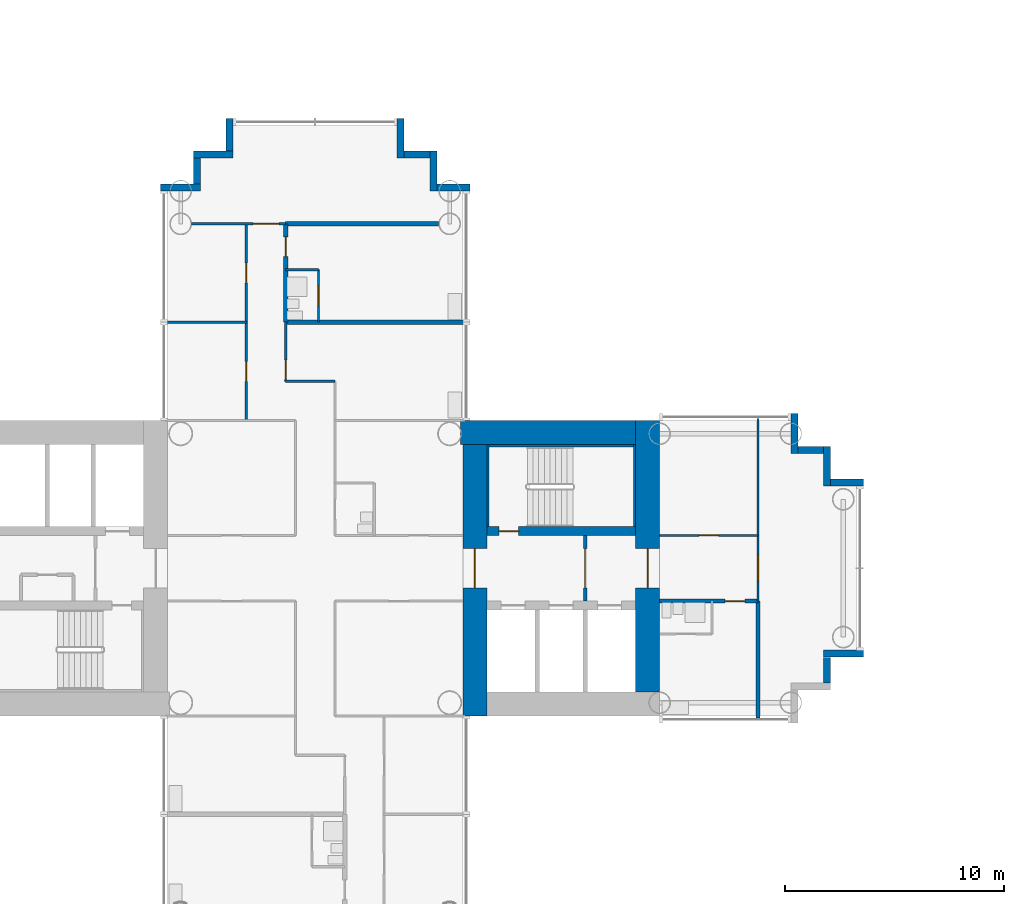
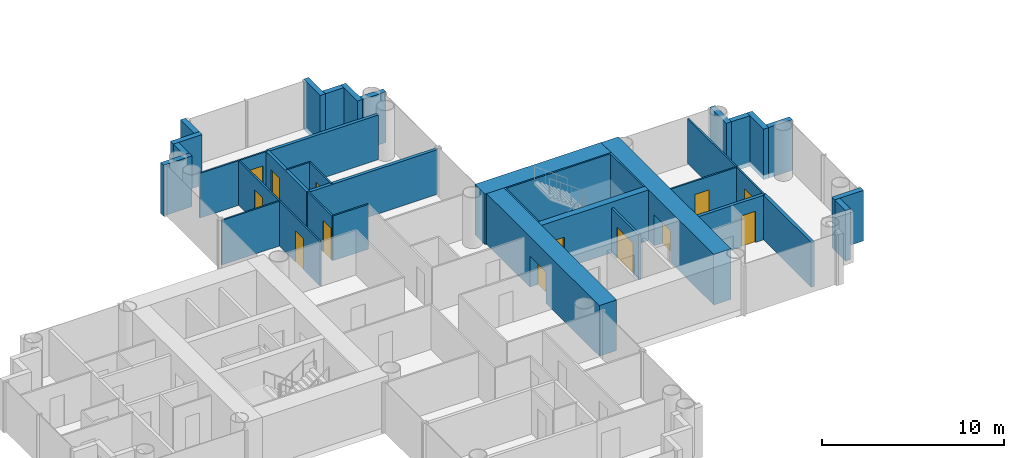
# One storey, part 11 of 21: 36 walls, 13 doors, 13 openings.
"""IFC4 building model written with IfcOpenShell, lengths in metres."""

import ifcopenshell
import ifcopenshell.guid

model = None  # the IFC model being written
_history = None  # IfcOwnerHistory: only IFC2X3 demands one
_inside = {}  # id of a spatial element -> (the spatial element, [elements in it])
_under = {}  # id of a project, library or spatial element -> (it, [spatial elements below it])
_declared = {}  # id of a project -> (the project, [libraries it declares])
_typed = {}  # id of a type object -> (the type object, [elements of that type])
_made_of = {}  # id of a material, layer set ... -> (it, [elements and type objects made of it])


def new_model(schema):
    """Start an empty IFC model of exactly this schema.

    Asked for "IFC4X3", IfcOpenShell would pick the latest addendum, in which some entities
    have other attributes; the version numbers below select the first issue.
    IFC2X3 requires an IfcOwnerHistory on every rooted entity: one is made here for all.
    """
    global model, _history
    if schema == "IFC4X3":
        model = ifcopenshell.file(schema_version=(4, 3, 0, 0))
    else:
        model = ifcopenshell.file(schema=schema)
    _inside.clear()
    _under.clear()
    _declared.clear()
    _typed.clear()
    _made_of.clear()
    _history = None
    if model.schema == "IFC2X3":
        org = make("IfcOrganization", Name="unknown")
        user = make(
            "IfcPersonAndOrganization",
            ThePerson=make("IfcPerson", FamilyName="unknown"),
            TheOrganization=org,
        )
        app = make(
            "IfcApplication",
            ApplicationDeveloper=org,
            Version="unknown",
            ApplicationFullName="unknown",
            ApplicationIdentifier="unknown",
        )
        _history = make(
            "IfcOwnerHistory",
            OwningUser=user,
            OwningApplication=app,
            ChangeAction="ADDED",
            CreationDate=0,
        )
    return model


def make(cls, **values):
    """One entity of the class cls with the attributes given. An attribute that is None is left unset."""
    return model.create_entity(
        cls, **{name: value for name, value in values.items() if value is not None}
    )


def rooted(cls, **values):
    """An entity with a GlobalId (a new one), such as an element, a storey or a relation."""
    return make(cls, GlobalId=ifcopenshell.guid.new(), OwnerHistory=_history, **values)


def si_unit(unit_type, name, prefix=None):
    """IfcSIUnit, for example si_unit("LENGTHUNIT", "METRE", prefix="MILLI")."""
    return make("IfcSIUnit", UnitType=unit_type, Prefix=prefix, Name=name)


def assignment(units):
    """IfcUnitAssignment: the units of a project."""
    return None if units is None else make("IfcUnitAssignment", Units=units)


def point(xyz):
    """IfcCartesianPoint."""
    return None if xyz is None else make("IfcCartesianPoint", Coordinates=xyz)


def direction(xyz):
    """IfcDirection."""
    return None if xyz is None else make("IfcDirection", DirectionRatios=xyz)


def frame(location, z_axis=None, x_axis=None):
    """IfcAxis2Placement3D, a coordinate frame: its origin and axes. An axis left out is left unset."""
    return make(
        "IfcAxis2Placement3D",
        Location=point(location),
        Axis=direction(z_axis),
        RefDirection=direction(x_axis),
    )


def frame_2d(location, x_axis=None):
    """IfcAxis2Placement2D, a coordinate frame in the plane: its origin and x axis."""
    return make(
        "IfcAxis2Placement2D", Location=point(location), RefDirection=direction(x_axis)
    )


def origin():
    """The frame at (0, 0, 0) with its axes left unset."""
    return frame((0.0, 0.0, 0.0))


def place(relative_to, where):
    """IfcLocalPlacement: puts the frame where relative to a parent placement (None: the world)."""
    return make(
        "IfcLocalPlacement", PlacementRelTo=relative_to, RelativePlacement=where
    )


def context(
    kind, dimensions, precision=None, world=None, true_north=None, identifier=None
):
    """IfcGeometricRepresentationContext, for example the 3D "Model" context."""
    return make(
        "IfcGeometricRepresentationContext",
        ContextIdentifier=identifier,
        ContextType=kind,
        CoordinateSpaceDimension=dimensions,
        Precision=precision,
        WorldCoordinateSystem=world,
        TrueNorth=true_north,
    )


def subcontext(parent, identifier, kind, view, scale=None):
    """IfcGeometricRepresentationSubContext, for example "Body" below "Model"."""
    return make(
        "IfcGeometricRepresentationSubContext",
        ContextIdentifier=identifier,
        ContextType=kind,
        ParentContext=parent,
        TargetScale=scale,
        TargetView=view,
    )


def project(units=None, contexts=None):
    """IfcProject with its units and contexts."""
    return rooted(
        "IfcProject",
        Name="project",
        RepresentationContexts=contexts,
        UnitsInContext=assignment(units),
    )


def spatial(cls, under=None, at=None, **own):
    """A site, building, storey or space (cls), placed at a placement, below another one or the project."""
    s = rooted(cls, ObjectPlacement=at, **own)
    if under is not None:
        _under.setdefault(under.id(), (under, []))[1].append(s)
    return s


def profile(cls, at=None, kind="AREA", **sizes):
    """A parametric profile (cls). Its sizes go by their IFC names, for example OverallWidth=200.0."""
    return make(cls, ProfileType=kind, Position=at, **sizes)


def rectangle(**sizes):
    """IfcRectangleProfileDef."""
    return profile("IfcRectangleProfileDef", **sizes)


def extrude(swept, where, along, depth):
    """IfcExtrudedAreaSolid: the profile swept, set in the frame where, extruded along a direction by depth."""
    return make(
        "IfcExtrudedAreaSolid",
        SweptArea=swept,
        Position=where,
        ExtrudedDirection=direction(along),
        Depth=depth,
    )


def shape(context_of_items, identifier, shape_type, items):
    """IfcShapeRepresentation: the items that make up one representation, for example the "Body"."""
    return make(
        "IfcShapeRepresentation",
        ContextOfItems=context_of_items,
        RepresentationIdentifier=identifier,
        RepresentationType=shape_type,
        Items=items,
    )


def material(Name=None, Category=None):
    """IfcMaterial."""
    return make("IfcMaterial", Name=Name, Category=Category)


def layer(
    of_material, thickness, ventilated=None, Name=None, Category=None, Priority=None
):
    """IfcMaterialLayer: one layer of a wall or slab, of a material (None: an air gap)."""
    return make(
        "IfcMaterialLayer",
        Material=of_material,
        LayerThickness=thickness,
        IsVentilated=ventilated,
        Name=Name,
        Category=Category,
        Priority=Priority,
    )


def layer_set(layers, Name=None):
    """IfcMaterialLayerSet."""
    return make("IfcMaterialLayerSet", MaterialLayers=layers, LayerSetName=Name)


def made_of(thing, what):
    """Note that an element or type object is made of a material, layer set ...; save() writes the relation."""
    if what is not None:
        _made_of.setdefault(what.id(), (what, []))[1].append(thing)
    return thing


def type_object(cls, material=None, **own):
    """A type object (cls), such as IfcWallType, which elements share."""
    return made_of(rooted(cls, **own), material)


def element(
    cls,
    number,
    at=None,
    inside=None,
    cuts=None,
    type_object=None,
    material=None,
    context=None,
    identifier="Body",
    shape_type=None,
    held_by="IfcProductDefinitionShape",
    body=None,
    shapes=None,
    **own,
):
    """One element of the class cls, such as IfcWall. Its Tag is "e" and its number.

    at: its placement. inside: the storey or other place that contains it. cuts: it is an
    opening in that element (IfcRelVoidsElement). A single representation is given by context,
    identifier, shape_type and body (its items); several are given by shapes. held_by: the class
    of the entity that holds the representations. save() writes the other relations.
    """
    e = rooted(cls, Tag="e%d" % number, ObjectPlacement=at, **own)
    if body is not None:
        shapes = [shape(context, identifier, shape_type, body)]
    if shapes is not None:
        e.Representation = make(held_by, Representations=shapes)
    if inside is not None:
        _inside.setdefault(inside.id(), (inside, []))[1].append(e)
    if cuts is not None:
        rooted(
            "IfcRelVoidsElement", RelatingBuildingElement=cuts, RelatedOpeningElement=e
        )
    if type_object is not None:
        _typed.setdefault(type_object.id(), (type_object, []))[1].append(e)
    return made_of(e, material)


def fill(opening, filler):
    """IfcRelFillsElement: the door or window that sits in an opening."""
    return rooted(
        "IfcRelFillsElement",
        RelatingOpeningElement=opening,
        RelatedBuildingElement=filler,
    )


def aggregate(whole, parts):
    """IfcRelAggregates: a whole, such as a stair, and the parts it consists of."""
    return rooted("IfcRelAggregates", RelatingObject=whole, RelatedObjects=parts)


def save(model, path):
    """Write the relations noted so far, then the file.

    IfcRelAggregates (storeys below a building ...), IfcRelContainedInSpatialStructure (elements
    in a storey), IfcRelDefinesByType, IfcRelAssociatesMaterial and IfcRelDeclares: one each for
    every whole, place, type object, material and project.
    """
    for whole, parts in _under.values():
        aggregate(whole, parts)
    for where, things in _inside.values():
        rooted(
            "IfcRelContainedInSpatialStructure",
            RelatedElements=things,
            RelatingStructure=where,
        )
    for kind, things in _typed.values():
        rooted("IfcRelDefinesByType", RelatedObjects=things, RelatingType=kind)
    for what, things in _made_of.values():
        rooted("IfcRelAssociatesMaterial", RelatedObjects=things, RelatingMaterial=what)
    for by, libraries in _declared.values():
        rooted("IfcRelDeclares", RelatingContext=by, RelatedDefinitions=libraries)
    model.write(path)


model = new_model("IFC4")

# Units and contexts
model_context = context("Model", 3, precision=1e-05, world=origin(), true_north=direction((0.0, 1.0)))
body_context = subcontext(model_context, "Body", "Model", "MODEL_VIEW")
ifc_project = project(units=[si_unit("LENGTHUNIT", "METRE"), si_unit("AREAUNIT", "SQUARE_METRE"), si_unit("VOLUMEUNIT", "CUBIC_METRE"), si_unit("PLANEANGLEUNIT", "RADIAN"), si_unit("MASSUNIT", "GRAM", prefix="KILO")], contexts=[model_context])

# Site, building, storey
site_placement = place(None, origin())
site = spatial("IfcSite", under=ifc_project, at=site_placement, CompositionType="ELEMENT")
building_placement = place(site_placement, origin())
building = spatial("IfcBuilding", under=site, at=building_placement, Name="Ipe Terrace Towers", CompositionType="ELEMENT")
storey_placement = place(building_placement, frame((0.0, 0.0, 34.699951171875)))
storey = spatial("IfcBuildingStorey", under=building, at=storey_placement, Name="L08", CompositionType="ELEMENT", Elevation=34.699951171875)

# Walls
ifc_material_1 = material(Name="Concrete C40/50 with buff precast cladding", Category="concrete")
ifc_layer_1 = layer(ifc_material_1, 0.320068359375)
ifc_layer_set_1 = layer_set([ifc_layer_1], Name="BUFF CLADDING WALL 320")
wall_type_1 = type_object("IfcWallType", Name="BUFF CLADDING WALL 320", PredefinedType="STANDARD", material=ifc_layer_set_1)
wall_1_placement = place(storey_placement, frame((-12.590087890625, -5.25, -0.300048828125), z_axis=(0.0, 0.0, 1.0), x_axis=(0.0, 1.0, 0.0)))
element("IfcWall", 1, at=wall_1_placement, inside=storey, type_object=wall_type_1, Name="T1-W-L08-23a wall", PredefinedType="STANDARD", context=body_context, shape_type="SweptSolid", body=[
    extrude(rectangle(XDim=1.179931640625, YDim=0.320068359375, at=frame_2d((0.58984375, 0.0))), origin(), (0.0, 0.0, 1.0), 3.400146484375),
])
wall_2_placement = place(storey_placement, frame((-12.75, -3.909912109375, -0.300048828125), z_axis=(0.0, 0.0, 1.0), x_axis=(1.0, 0.0, 0.0)))
element("IfcWall", 2, at=wall_2_placement, inside=storey, type_object=wall_type_1, Name="T1-W-L08-24a wall", PredefinedType="STANDARD", context=body_context, shape_type="SweptSolid", body=[
    extrude(rectangle(XDim=1.820068359375, YDim=0.320068359375, at=frame_2d((0.91015625, 0.0))), origin(), (0.0, 0.0, 1.0), 3.400146484375),
])
wall_3_placement = place(storey_placement, frame((-10.929931640625, 3.909912109375, -0.300048828125), z_axis=(0.0, 0.0, 1.0), x_axis=(-1.0, 0.0, 0.0)))
element("IfcWall", 3, at=wall_3_placement, inside=storey, type_object=wall_type_1, Name="T1-W-L08-26a wall", PredefinedType="STANDARD", context=body_context, shape_type="SweptSolid", body=[
    extrude(rectangle(XDim=1.5, YDim=0.320068359375, at=frame_2d((0.75, 0.0))), origin(), (0.0, 0.0, 1.0), 3.400146484375),
])
wall_4_placement = place(storey_placement, frame((-12.590087890625, 3.75, -0.300048828125), z_axis=(0.0, 0.0, 1.0), x_axis=(0.0, 1.0, 0.0)))
element("IfcWall", 4, at=wall_4_placement, inside=storey, type_object=wall_type_1, Name="T1-W-L08-27a wall", PredefinedType="STANDARD", context=body_context, shape_type="SweptSolid", body=[
    extrude(rectangle(XDim=1.820068359375, YDim=0.320068359375, at=frame_2d((0.91015625, 0.0))), origin(), (0.0, 0.0, 1.0), 3.400146484375),
])
wall_5_placement = place(storey_placement, frame((-12.75, 5.409912109375, -0.300048828125), z_axis=(0.0, 0.0, 1.0), x_axis=(-1.0, 0.0, 0.0)))
element("IfcWall", 5, at=wall_5_placement, inside=storey, type_object=wall_type_1, Name="T1-W-L08-28a wall", PredefinedType="STANDARD", context=body_context, shape_type="SweptSolid", body=[
    extrude(rectangle(XDim=1.179931640625, YDim=0.320068359375, at=frame_2d((0.58984375, 0.0))), origin(), (0.0, 0.0, 1.0), 3.400146484375),
])
wall_6_placement = place(storey_placement, frame((-14.090087890625, 5.25, -0.300048828125), z_axis=(0.0, 0.0, 1.0), x_axis=(0.0, 1.0, 0.0)))
element("IfcWall", 6, at=wall_6_placement, inside=storey, type_object=wall_type_1, Name="T1-W-L08-29a wall", PredefinedType="STANDARD", context=body_context, shape_type="SweptSolid", body=[
    extrude(rectangle(XDim=1.820068359375, YDim=0.320068359375, at=frame_2d((0.91015625, 0.0))), origin(), (0.0, 0.0, 1.0), 3.400146484375),
])
wall_7_placement = place(storey_placement, frame((-28.929931640625, 17.409912109375, -0.300048828125), z_axis=(0.0, 0.0, 1.0), x_axis=(-1.0, 0.0, 0.0)))
element("IfcWall", 7, at=wall_7_placement, inside=storey, type_object=wall_type_1, Name="T1-W-L08-34a wall", PredefinedType="STANDARD", context=body_context, shape_type="SweptSolid", body=[
    extrude(rectangle(XDim=1.5, YDim=0.320068359375, at=frame_2d((0.75, 0.0))), origin(), (0.0, 0.0, 1.0), 3.400146484375),
])
wall_8_placement = place(storey_placement, frame((-30.590087890625, 17.25, -0.300048828125), z_axis=(0.0, 0.0, 1.0), x_axis=(0.0, 1.0, 0.0)))
element("IfcWall", 8, at=wall_8_placement, inside=storey, type_object=wall_type_1, Name="T1-W-L08-35a wall", PredefinedType="STANDARD", context=body_context, shape_type="SweptSolid", body=[
    extrude(rectangle(XDim=1.820068359375, YDim=0.320068359375, at=frame_2d((0.91015625, 0.0))), origin(), (0.0, 0.0, 1.0), 3.400146484375),
])
wall_9_placement = place(storey_placement, frame((-30.75, 18.909912109375, -0.300048828125), z_axis=(0.0, 0.0, 1.0), x_axis=(-1.0, 0.0, 0.0)))
element("IfcWall", 9, at=wall_9_placement, inside=storey, type_object=wall_type_1, Name="T1-W-L08-36a wall", PredefinedType="STANDARD", context=body_context, shape_type="SweptSolid", body=[
    extrude(rectangle(XDim=1.179931640625, YDim=0.320068359375, at=frame_2d((0.58984375, 0.0))), origin(), (0.0, 0.0, 1.0), 3.400146484375),
])
wall_10_placement = place(storey_placement, frame((-32.090087890625, 18.75, -0.300048828125), z_axis=(0.0, 0.0, 1.0), x_axis=(0.0, 1.0, 0.0)))
element("IfcWall", 10, at=wall_10_placement, inside=storey, type_object=wall_type_1, Name="T1-W-L08-37a wall", PredefinedType="STANDARD", context=body_context, shape_type="SweptSolid", body=[
    extrude(rectangle(XDim=1.820068359375, YDim=0.320068359375, at=frame_2d((0.91015625, 0.0))), origin(), (0.0, 0.0, 1.0), 3.400146484375),
])
wall_11_placement = place(storey_placement, frame((-39.909912109375, 20.570068359375, -0.300048828125), z_axis=(0.0, 0.0, 1.0), x_axis=(0.0, -1.0, 0.0)))
element("IfcWall", 11, at=wall_11_placement, inside=storey, type_object=wall_type_1, Name="T1-W-L08-39a wall", PredefinedType="STANDARD", context=body_context, shape_type="SweptSolid", body=[
    extrude(rectangle(XDim=1.5, YDim=0.320068359375, at=frame_2d((0.75, 0.0))), origin(), (0.0, 0.0, 1.0), 3.400146484375),
])
wall_12_placement = place(storey_placement, frame((-39.75, 18.909912109375, -0.300048828125), z_axis=(0.0, 0.0, 1.0), x_axis=(-1.0, 0.0, 0.0)))
element("IfcWall", 12, at=wall_12_placement, inside=storey, type_object=wall_type_1, Name="T1-W-L08-40a wall", PredefinedType="STANDARD", context=body_context, shape_type="SweptSolid", body=[
    extrude(rectangle(XDim=1.820068359375, YDim=0.320068359375, at=frame_2d((0.91015625, 0.0))), origin(), (0.0, 0.0, 1.0), 3.400146484375),
])
wall_13_placement = place(storey_placement, frame((-41.409912109375, 18.75, -0.300048828125), z_axis=(0.0, 0.0, 1.0), x_axis=(0.0, -1.0, 0.0)))
element("IfcWall", 13, at=wall_13_placement, inside=storey, type_object=wall_type_1, Name="T1-W-L08-41a wall", PredefinedType="STANDARD", context=body_context, shape_type="SweptSolid", body=[
    extrude(rectangle(XDim=1.179931640625, YDim=0.320068359375, at=frame_2d((0.58984375, 0.0))), origin(), (0.0, 0.0, 1.0), 3.400146484375),
])
wall_14_placement = place(storey_placement, frame((-41.25, 17.409912109375, -0.300048828125), z_axis=(0.0, 0.0, 1.0), x_axis=(-1.0, 0.0, 0.0)))
element("IfcWall", 14, at=wall_14_placement, inside=storey, type_object=wall_type_1, Name="T1-W-L08-42a wall", PredefinedType="STANDARD", context=body_context, shape_type="SweptSolid", body=[
    extrude(rectangle(XDim=1.820068359375, YDim=0.320068359375, at=frame_2d((0.91015625, 0.0))), origin(), (0.0, 0.0, 1.0), 3.400146484375),
])

# Wall, openings, doors
ifc_material_2 = material(Name="Gypsum board partition", Category="plasterboard")
ifc_layer_2 = layer(ifc_material_2, 0.10009765625)
ifc_layer_set_2 = layer_set([ifc_layer_2], Name="Gypsum board partition 100 mm")
wall_type_2 = type_object("IfcWallType", Name="Gypsum board partition 100 mm", PredefinedType="PARTITIONING", material=ifc_layer_set_2)
wall_15_placement = place(storey_placement, frame((-39.14990234375, 6.75, 0.0), z_axis=(0.0, 0.0, 1.0), x_axis=(0.0, 1.0, 0.0)))
wall_15 = element("IfcWall", 15, at=wall_15_placement, inside=storey, type_object=wall_type_2, Name="Gypsum board partition T1 L08 W05", PredefinedType="PARTITIONING", context=body_context, shape_type="SweptSolid", body=[
    extrude(rectangle(XDim=9.0, YDim=0.10009765625, at=frame_2d((4.5, 0.0))), origin(), (0.0, 0.0, 1.0), 3.0),
])
opening_1_placement = place(wall_15_placement, frame((1.800048828125, 0.0, 0.0)))
opening_1 = element("IfcOpeningElement", 16, at=opening_1_placement, cuts=wall_15, Name="Opening T1-Z1B-06", PredefinedType="OPENING", context=body_context, shape_type="SweptSolid", body=[
    extrude(rectangle(XDim=0.89990234375, YDim=2.10009765625, at=frame_2d((0.449951171875, 1.050048828125))), frame((0.0, 0.06005859375, 0.0), z_axis=(0.0, -1.0, 0.0), x_axis=(1.0, 0.0, 0.0)), (0.0, 0.0, 1.0), 0.1201171875),
])
opening_2_placement = place(wall_15_placement, frame((6.300048828125, 0.0, 0.0)))
opening_2 = element("IfcOpeningElement", 17, at=opening_2_placement, cuts=wall_15, Name="Opening T1-Z1B-07", PredefinedType="OPENING", context=body_context, shape_type="SweptSolid", body=[
    extrude(rectangle(XDim=0.89990234375, YDim=2.10009765625, at=frame_2d((0.449951171875, 1.050048828125))), frame((0.0, 0.06005859375, 0.0), z_axis=(0.0, -1.0, 0.0), x_axis=(1.0, 0.0, 0.0)), (0.0, 0.0, 1.0), 0.1201171875),
])
ifc_material_3 = material(Name="Timber door leaf", Category="wood")
door_type_1 = type_object("IfcDoorType", Name="Lounge door 900 x 2100", OperationType="NOTDEFINED", PredefinedType="DOOR", material=ifc_material_3)
door_1_placement = place(opening_1_placement, origin())
door_1 = element("IfcDoor", 18, at=door_1_placement, inside=storey, type_object=door_type_1, Name="Lounge door T1-Z1B-06", OperationType="SINGLE_SWING_RIGHT", OverallHeight=2.10009765625, OverallWidth=0.89990234375, PredefinedType="DOOR", context=body_context, shape_type="SweptSolid", body=[
    extrude(rectangle(XDim=0.89990234375, YDim=2.10009765625, at=frame_2d((0.449951171875, 1.050048828125))), frame((0.0, 0.02490234375, 0.0), z_axis=(0.0, -1.0, 0.0), x_axis=(1.0, 0.0, 0.0)), (0.0, 0.0, 1.0), 0.050048828125),
])
fill(opening_1, door_1)
door_2_placement = place(opening_2_placement, origin())
door_2 = element("IfcDoor", 19, at=door_2_placement, inside=storey, type_object=door_type_1, Name="Lounge door T1-Z1B-07", OperationType="SINGLE_SWING_LEFT", OverallHeight=2.10009765625, OverallWidth=0.89990234375, PredefinedType="DOOR", context=body_context, shape_type="SweptSolid", body=[
    extrude(rectangle(XDim=0.89990234375, YDim=2.10009765625, at=frame_2d((0.449951171875, 1.050048828125))), frame((0.0, 0.02490234375, 0.0), z_axis=(0.0, -1.0, 0.0), x_axis=(1.0, 0.0, 0.0)), (0.0, 0.0, 1.0), 0.050048828125),
])
fill(opening_2, door_2)

# Wall, opening, door
wall_16_placement = place(storey_placement, frame((-37.35009765625, 8.550048828125, 0.0), z_axis=(0.0, 0.0, 1.0), x_axis=(0.0, 1.0, 0.0)))
wall_16 = element("IfcWall", 20, at=wall_16_placement, inside=storey, type_object=wall_type_2, Name="Gypsum board partition T1 L08 W06", PredefinedType="PARTITIONING", context=body_context, shape_type="SweptSolid", body=[
    extrude(rectangle(XDim=2.699951171875, YDim=0.10009765625, at=frame_2d((1.35009765625, 0.0))), origin(), (0.0, 0.0, 1.0), 3.0),
])
opening_3_placement = place(wall_16_placement, frame((0.070068359375, 0.0, 0.0)))
opening_3 = element("IfcOpeningElement", 21, at=opening_3_placement, cuts=wall_16, Name="Opening T1-Z1B-08", PredefinedType="OPENING", context=body_context, shape_type="SweptSolid", body=[
    extrude(rectangle(XDim=0.89990234375, YDim=2.10009765625, at=frame_2d((0.449951171875, 1.050048828125))), frame((0.0, 0.06005859375, 0.0), z_axis=(0.0, -1.0, 0.0), x_axis=(1.0, 0.0, 0.0)), (0.0, 0.0, 1.0), 0.1201171875),
])
door_3_placement = place(opening_3_placement, origin())
door_3 = element("IfcDoor", 22, at=door_3_placement, inside=storey, type_object=door_type_1, Name="Lounge door T1-Z1B-08", OperationType="SINGLE_SWING_LEFT", OverallHeight=2.10009765625, OverallWidth=0.89990234375, PredefinedType="DOOR", context=body_context, shape_type="SweptSolid", body=[
    extrude(rectangle(XDim=0.89990234375, YDim=2.10009765625, at=frame_2d((0.449951171875, 1.050048828125))), frame((0.0, 0.02490234375, 0.0), z_axis=(0.0, -1.0, 0.0), x_axis=(1.0, 0.0, 0.0)), (0.0, 0.0, 1.0), 0.050048828125),
])
fill(opening_3, door_3)

wall_17_placement = place(storey_placement, frame((-35.85009765625, 11.25, 0.0), z_axis=(0.0, 0.0, 1.0), x_axis=(0.0, 1.0, 0.0)))
wall_17 = element("IfcWall", 23, at=wall_17_placement, inside=storey, type_object=wall_type_2, Name="Gypsum board partition T1 L08 W11", PredefinedType="PARTITIONING", context=body_context, shape_type="SweptSolid", body=[
    extrude(rectangle(XDim=2.39990234375, YDim=0.10009765625, at=frame_2d((1.199951171875, 0.0))), origin(), (0.0, 0.0, 1.0), 3.0),
])
opening_4_placement = place(wall_17_placement, frame((0.75, 0.0, 0.0)))
opening_4 = element("IfcOpeningElement", 24, at=opening_4_placement, cuts=wall_17, Name="Opening T1-Z1B-10", PredefinedType="OPENING", context=body_context, shape_type="SweptSolid", body=[
    extrude(rectangle(XDim=0.89990234375, YDim=2.10009765625, at=frame_2d((0.449951171875, 1.050048828125))), frame((0.0, 0.06005859375, 0.0), z_axis=(0.0, -1.0, 0.0), x_axis=(1.0, 0.0, 0.0)), (0.0, 0.0, 1.0), 0.1201171875),
])
ifc_material_4 = material(Name="Timber door leaf", Category="wood")
door_type_2 = type_object("IfcDoorType", Name="Bathroom door 900 x 2100", OperationType="NOTDEFINED", PredefinedType="DOOR", material=ifc_material_4)
door_4_placement = place(opening_4_placement, origin())
door_4 = element("IfcDoor", 25, at=door_4_placement, inside=storey, type_object=door_type_2, Name="Bathroom door T1-Z1B-10", OperationType="SINGLE_SWING_RIGHT", OverallHeight=2.10009765625, OverallWidth=0.89990234375, PredefinedType="DOOR", context=body_context, shape_type="SweptSolid", body=[
    extrude(rectangle(XDim=0.89990234375, YDim=2.10009765625, at=frame_2d((0.449951171875, 1.050048828125))), frame((0.0, 0.02490234375, 0.0), z_axis=(0.0, -1.0, 0.0), x_axis=(1.0, 0.0, 0.0)), (0.0, 0.0, 1.0), 0.050048828125),
])
fill(opening_4, door_4)

wall_18_placement = place(storey_placement, frame((-15.75, -1.5, 0.0), z_axis=(0.0, 0.0, 1.0), x_axis=(0.0, 1.0, 0.0)))
wall_18 = element("IfcWall", 26, at=wall_18_placement, inside=storey, type_object=wall_type_2, Name="Gypsum board partition T1 L08 W19", PredefinedType="PARTITIONING", context=body_context, shape_type="SweptSolid", body=[
    extrude(rectangle(XDim=8.35009765625, YDim=0.10009765625, at=frame_2d((4.175048828125, 0.0))), origin(), (0.0, 0.0, 1.0), 3.0),
])
opening_5_placement = place(wall_18_placement, frame((0.89990234375, 0.0, 0.0)))
opening_5 = element("IfcOpeningElement", 27, at=opening_5_placement, cuts=wall_18, Name="Opening T1-Z1B-21", PredefinedType="OPENING", context=body_context, shape_type="SweptSolid", body=[
    extrude(rectangle(XDim=1.199951171875, YDim=2.10009765625, at=frame_2d((0.60009765625, 1.050048828125))), frame((0.0, 0.06005859375, 0.0), z_axis=(0.0, -1.0, 0.0), x_axis=(1.0, 0.0, 0.0)), (0.0, 0.0, 1.0), 0.1201171875),
])
ifc_material_5 = material(Name="Timber door leaf", Category="wood")
door_type_3 = type_object("IfcDoorType", Name="Lounge door 1200 x 2100", OperationType="NOTDEFINED", PredefinedType="DOOR", material=ifc_material_5)
door_5_placement = place(opening_5_placement, origin())
door_5 = element("IfcDoor", 28, at=door_5_placement, inside=storey, type_object=door_type_3, Name="Lounge door T1-Z1B-21", OperationType="SINGLE_SWING_LEFT", OverallHeight=2.10009765625, OverallWidth=1.199951171875, PredefinedType="DOOR", context=body_context, shape_type="SweptSolid", body=[
    extrude(rectangle(XDim=1.199951171875, YDim=2.10009765625, at=frame_2d((0.60009765625, 1.050048828125))), frame((0.0, 0.02490234375, 0.0), z_axis=(0.0, -1.0, 0.0), x_axis=(1.0, 0.0, 0.0)), (0.0, 0.0, 1.0), 0.050048828125),
])
fill(opening_5, door_5)

wall_19_placement = place(storey_placement, frame((-20.25, 1.5, 0.0), z_axis=(0.0, 0.0, 1.0), x_axis=(1.0, 0.0, 0.0)))
wall_19 = element("IfcWall", 29, at=wall_19_placement, inside=storey, type_object=wall_type_2, Name="Gypsum board partition T1 L08 W39", PredefinedType="PARTITIONING", context=body_context, shape_type="SweptSolid", body=[
    extrude(rectangle(XDim=4.5, YDim=0.10009765625, at=frame_2d((2.25, 0.0))), origin(), (0.0, 0.0, 1.0), 3.0),
])
opening_6_placement = place(wall_19_placement, frame((1.800048828125, 0.0, 0.0)))
opening_6 = element("IfcOpeningElement", 30, at=opening_6_placement, cuts=wall_19, Name="Opening T1-Z1B-18", PredefinedType="OPENING", context=body_context, shape_type="SweptSolid", body=[
    extrude(rectangle(XDim=0.89990234375, YDim=2.10009765625, at=frame_2d((0.449951171875, 1.050048828125))), frame((0.0, 0.06005859375, 0.0), z_axis=(0.0, -1.0, 0.0), x_axis=(1.0, 0.0, 0.0)), (0.0, 0.0, 1.0), 0.1201171875),
])
door_6_placement = place(opening_6_placement, origin())
door_6 = element("IfcDoor", 31, at=door_6_placement, inside=storey, type_object=door_type_1, Name="Lounge door T1-Z1B-18", OperationType="SINGLE_SWING_LEFT", OverallHeight=2.10009765625, OverallWidth=0.89990234375, PredefinedType="DOOR", context=body_context, shape_type="SweptSolid", body=[
    extrude(rectangle(XDim=0.89990234375, YDim=2.10009765625, at=frame_2d((0.449951171875, 1.050048828125))), frame((0.0, 0.02490234375, 0.0), z_axis=(0.0, -1.0, 0.0), x_axis=(1.0, 0.0, 0.0)), (0.0, 0.0, 1.0), 0.050048828125),
])
fill(opening_6, door_6)

# Walls
wall_20_placement = place(storey_placement, frame((-37.35009765625, 8.550048828125, 0.0), z_axis=(0.0, 0.0, 1.0), x_axis=(1.0, 0.0, 0.0)))
element("IfcWall", 32, at=wall_20_placement, inside=storey, type_object=wall_type_2, Name="Gypsum board partition T1 L08 W46", PredefinedType="PARTITIONING", context=body_context, shape_type="SweptSolid", body=[
    extrude(rectangle(XDim=2.25, YDim=0.10009765625, at=frame_2d((1.125, 0.0))), origin(), (0.0, 0.0, 1.0), 3.0),
])
wall_21_placement = place(storey_placement, frame((-42.85009765625, 11.25, 0.0), z_axis=(0.0, 0.0, 1.0), x_axis=(1.0, 0.0, 0.0)))
element("IfcWall", 33, at=wall_21_placement, inside=storey, type_object=wall_type_2, Name="Gypsum board partition T1 L08 W47", PredefinedType="PARTITIONING", context=body_context, shape_type="SweptSolid", body=[
    extrude(rectangle(XDim=3.7001953125, YDim=0.10009765625, at=frame_2d((1.85009765625, 0.0))), origin(), (0.0, 0.0, 1.0), 3.0),
])
wall_22_placement = place(storey_placement, frame((-37.35009765625, 13.64990234375, 0.0), z_axis=(0.0, 0.0, 1.0), x_axis=(1.0, 0.0, 0.0)))
element("IfcWall", 34, at=wall_22_placement, inside=storey, type_object=wall_type_2, Name="Gypsum board partition T1 L08 W49", PredefinedType="PARTITIONING", context=body_context, shape_type="SweptSolid", body=[
    extrude(rectangle(XDim=1.5, YDim=0.10009765625, at=frame_2d((0.75, 0.0))), origin(), (0.0, 0.0, 1.0), 3.0),
])

# Wall, opening, door
wall_23_placement = place(storey_placement, frame((-41.64990234375, 15.75, 0.0), z_axis=(0.0, 0.0, 1.0), x_axis=(1.0, 0.0, 0.0)))
wall_23 = element("IfcWall", 35, at=wall_23_placement, inside=storey, type_object=wall_type_2, Name="Gypsum board partition T1 L08 W50", PredefinedType="PARTITIONING", context=body_context, shape_type="SweptSolid", body=[
    extrude(rectangle(XDim=4.2998046875, YDim=0.10009765625, at=frame_2d((2.14990234375, 0.0))), origin(), (0.0, 0.0, 1.0), 3.0),
])
opening_7_placement = place(wall_23_placement, frame((2.800048828125, 0.0, 0.0)))
opening_7 = element("IfcOpeningElement", 36, at=opening_7_placement, cuts=wall_23, Name="Opening T1-Z1B-11", PredefinedType="OPENING", context=body_context, shape_type="SweptSolid", body=[
    extrude(rectangle(XDim=1.199951171875, YDim=2.10009765625, at=frame_2d((0.60009765625, 1.050048828125))), frame((0.0, 0.06005859375, 0.0), z_axis=(0.0, -1.0, 0.0), x_axis=(1.0, 0.0, 0.0)), (0.0, 0.0, 1.0), 0.1201171875),
])
door_7_placement = place(opening_7_placement, origin())
door_7 = element("IfcDoor", 37, at=door_7_placement, inside=storey, type_object=door_type_3, Name="Lounge door T1-Z1B-11", OperationType="SINGLE_SWING_LEFT", OverallHeight=2.10009765625, OverallWidth=1.199951171875, PredefinedType="DOOR", context=body_context, shape_type="SweptSolid", body=[
    extrude(rectangle(XDim=1.199951171875, YDim=2.10009765625, at=frame_2d((0.60009765625, 1.050048828125))), frame((0.0, 0.02490234375, 0.0), z_axis=(0.0, -1.0, 0.0), x_axis=(1.0, 0.0, 0.0)), (0.0, 0.0, 1.0), 0.050048828125),
])
fill(opening_7, door_7)

ifc_material_6 = material(Name="Gypsum board partition", Category="plasterboard")
ifc_layer_3 = layer(ifc_material_6, 0.14990234375)
ifc_layer_set_3 = layer_set([ifc_layer_3], Name="Gypsum board partition 150 mm")
wall_type_3 = type_object("IfcWallType", Name="Gypsum board partition 150 mm", PredefinedType="PARTITIONING", material=ifc_layer_set_3)
wall_24_placement = place(storey_placement, frame((-23.64990234375, -1.5, 0.0), z_axis=(0.0, 0.0, 1.0), x_axis=(0.0, 1.0, 0.0)))
wall_24 = element("IfcWall", 38, at=wall_24_placement, inside=storey, type_object=wall_type_3, Name="Gypsum board partition T1 L08 t1c1-lobby-wall", PredefinedType="PARTITIONING", context=body_context, shape_type="SweptSolid", body=[
    extrude(rectangle(XDim=3.0, YDim=0.14990234375, at=frame_2d((1.5, 0.0))), origin(), (0.0, 0.0, 1.0), 3.0),
])
opening_8_placement = place(wall_24_placement, frame((0.60009765625, 0.0, 0.0)))
opening_8 = element("IfcOpeningElement", 39, at=opening_8_placement, cuts=wall_24, Name="Opening T1C1-VD", PredefinedType="OPENING", context=body_context, shape_type="SweptSolid", body=[
    extrude(rectangle(XDim=1.800048828125, YDim=2.10009765625, at=frame_2d((0.89990234375, 1.050048828125))), frame((0.0, 0.0849609375, 0.0), z_axis=(0.0, -1.0, 0.0), x_axis=(1.0, 0.0, 0.0)), (0.0, 0.0, 1.0), 0.169921875),
])
ifc_material_7 = material(Name="Fire-rated timber door leaf", Category="wood")
door_type_4 = type_object("IfcDoorType", Name="Lobby door 1800 x 2100 FD60", OperationType="NOTDEFINED", PredefinedType="DOOR", material=ifc_material_7)
door_8_placement = place(opening_8_placement, origin())
door_8 = element("IfcDoor", 40, at=door_8_placement, inside=storey, type_object=door_type_4, Name="Lobby door T1C1-VD", OperationType="SINGLE_SWING_LEFT", OverallHeight=2.10009765625, OverallWidth=1.800048828125, PredefinedType="DOOR", context=body_context, shape_type="SweptSolid", body=[
    extrude(rectangle(XDim=1.800048828125, YDim=2.10009765625, at=frame_2d((0.89990234375, 1.050048828125))), frame((0.0, 0.02490234375, 0.0), z_axis=(0.0, -1.0, 0.0), x_axis=(1.0, 0.0, 0.0)), (0.0, 0.0, 1.0), 0.050048828125),
])
fill(opening_8, door_8)

ifc_material_8 = material(Name="Gypsum board party wall", Category="plasterboard")
ifc_layer_4 = layer(ifc_material_8, 0.199951171875)
ifc_layer_set_4 = layer_set([ifc_layer_4], Name="Gypsum board party wall 200 mm")
wall_type_4 = type_object("IfcWallType", Name="Gypsum board party wall 200 mm", PredefinedType="SOLIDWALL", material=ifc_layer_set_4)
wall_25_placement = place(storey_placement, frame((-37.35009765625, 11.25, 0.0), z_axis=(0.0, 0.0, 1.0), x_axis=(0.0, 1.0, 0.0)))
wall_25 = element("IfcWall", 41, at=wall_25_placement, inside=storey, type_object=wall_type_4, Name="Gypsum board party wall T1 L08 W07", PredefinedType="SOLIDWALL", context=body_context, shape_type="SweptSolid", body=[
    extrude(rectangle(XDim=4.5, YDim=0.199951171875, at=frame_2d((2.25, 0.0))), origin(), (0.0, 0.0, 1.0), 3.0),
])
opening_9_placement = place(wall_25_placement, frame((3.0, 0.0, 0.0)))
opening_9 = element("IfcOpeningElement", 42, at=opening_9_placement, cuts=wall_25, Name="Opening T1-Z1B-09", PredefinedType="OPENING", context=body_context, shape_type="SweptSolid", body=[
    extrude(rectangle(XDim=0.89990234375, YDim=2.10009765625, at=frame_2d((0.449951171875, 1.050048828125))), frame((0.0, 0.10986328125, 0.0), z_axis=(0.0, -1.0, 0.0), x_axis=(1.0, 0.0, 0.0)), (0.0, 0.0, 1.0), 0.219970703125),
])
ifc_material_9 = material(Name="Fire-rated timber door leaf", Category="wood")
door_type_5 = type_object("IfcDoorType", Name="Flat entrance door 900 x 2100 FD30S", OperationType="NOTDEFINED", PredefinedType="DOOR", material=ifc_material_9)
door_9_placement = place(opening_9_placement, origin())
door_9 = element("IfcDoor", 43, at=door_9_placement, inside=storey, type_object=door_type_5, Name="Flat entrance door T1-Z1B-09", OperationType="SINGLE_SWING_RIGHT", OverallHeight=2.10009765625, OverallWidth=0.89990234375, PredefinedType="DOOR", context=body_context, shape_type="SweptSolid", body=[
    extrude(rectangle(XDim=0.89990234375, YDim=2.10009765625, at=frame_2d((0.449951171875, 1.050048828125))), frame((0.0, 0.02490234375, 0.0), z_axis=(0.0, -1.0, 0.0), x_axis=(1.0, 0.0, 0.0)), (0.0, 0.0, 1.0), 0.050048828125),
])
fill(opening_9, door_9)

# Wall
wall_26_placement = place(storey_placement, frame((-15.75, -6.85009765625, 0.0), z_axis=(0.0, 0.0, 1.0), x_axis=(0.0, 1.0, 0.0)))
element("IfcWall", 44, at=wall_26_placement, inside=storey, type_object=wall_type_4, Name="Gypsum board party wall T1 L08 W20", PredefinedType="SOLIDWALL", context=body_context, shape_type="SweptSolid", body=[
    extrude(rectangle(XDim=5.35009765625, YDim=0.199951171875, at=frame_2d((2.675048828125, 0.0))), origin(), (0.0, 0.0, 1.0), 3.0),
])

# Wall, opening, door
wall_27_placement = place(storey_placement, frame((-20.25, -1.5, 0.0), z_axis=(0.0, 0.0, 1.0), x_axis=(1.0, 0.0, 0.0)))
wall_27 = element("IfcWall", 45, at=wall_27_placement, inside=storey, type_object=wall_type_4, Name="Gypsum board party wall T1 L08 W35", PredefinedType="SOLIDWALL", context=body_context, shape_type="SweptSolid", body=[
    extrude(rectangle(XDim=4.5, YDim=0.199951171875, at=frame_2d((2.25, 0.0))), origin(), (0.0, 0.0, 1.0), 3.0),
])
opening_10_placement = place(wall_27_placement, frame((3.0, 0.0, 0.0)))
opening_10 = element("IfcOpeningElement", 46, at=opening_10_placement, cuts=wall_27, Name="Opening T1-Z1B-19", PredefinedType="OPENING", context=body_context, shape_type="SweptSolid", body=[
    extrude(rectangle(XDim=0.89990234375, YDim=2.10009765625, at=frame_2d((0.449951171875, 1.050048828125))), frame((0.0, 0.10986328125, 0.0), z_axis=(0.0, -1.0, 0.0), x_axis=(1.0, 0.0, 0.0)), (0.0, 0.0, 1.0), 0.219970703125),
])
door_10_placement = place(opening_10_placement, origin())
door_10 = element("IfcDoor", 47, at=door_10_placement, inside=storey, type_object=door_type_5, Name="Flat entrance door T1-Z1B-19", OperationType="SINGLE_SWING_RIGHT", OverallHeight=2.10009765625, OverallWidth=0.89990234375, PredefinedType="DOOR", context=body_context, shape_type="SweptSolid", body=[
    extrude(rectangle(XDim=0.89990234375, YDim=2.10009765625, at=frame_2d((0.449951171875, 1.050048828125))), frame((0.0, 0.02490234375, 0.0), z_axis=(0.0, -1.0, 0.0), x_axis=(1.0, 0.0, 0.0)), (0.0, 0.0, 1.0), 0.050048828125),
])
fill(opening_10, door_10)

# Walls
wall_28_placement = place(storey_placement, frame((-37.35009765625, 11.25, 0.0), z_axis=(0.0, 0.0, 1.0), x_axis=(1.0, 0.0, 0.0)))
element("IfcWall", 48, at=wall_28_placement, inside=storey, type_object=wall_type_4, Name="Gypsum board party wall T1 L08 W48", PredefinedType="SOLIDWALL", context=body_context, shape_type="SweptSolid", body=[
    extrude(rectangle(XDim=8.2001953125, YDim=0.199951171875, at=frame_2d((4.10009765625, 0.0))), origin(), (0.0, 0.0, 1.0), 3.0),
])
wall_29_placement = place(storey_placement, frame((-37.35009765625, 15.75, 0.0), z_axis=(0.0, 0.0, 1.0), x_axis=(1.0, 0.0, 0.0)))
element("IfcWall", 49, at=wall_29_placement, inside=storey, type_object=wall_type_4, Name="Gypsum board party wall T1 L08 W51", PredefinedType="SOLIDWALL", context=body_context, shape_type="SweptSolid", body=[
    extrude(rectangle(XDim=7.0, YDim=0.199951171875, at=frame_2d((3.5, 0.0))), origin(), (0.0, 0.0, 1.0), 3.0),
])
ifc_material_10 = material(Name="Concrete C60/75", Category="concrete")
ifc_layer_5 = layer(ifc_material_10, 0.10009765625)
ifc_layer_set_5 = layer_set([ifc_layer_5], Name="RW100 CORE INFILL WALL 100 C60-75")
wall_type_5 = type_object("IfcWallType", Name="RW100 CORE INFILL WALL 100 C60-75", PredefinedType="SHEAR", material=ifc_layer_set_5)
wall_30_placement = place(storey_placement, frame((-21.39990234375, 1.89990234375, 0.0), z_axis=(0.0, 0.0, 1.0), x_axis=(0.0, 1.0, 0.0)))
element("IfcWall", 50, at=wall_30_placement, inside=storey, type_object=wall_type_5, Name="Core infill wall T1-C1-far", PredefinedType="SHEAR", context=body_context, shape_type="SweptSolid", body=[
    extrude(rectangle(XDim=3.75, YDim=0.10009765625, at=frame_2d((1.875, 0.0))), origin(), (0.0, 0.0, 1.0), 3.400146484375),
])
wall_31_placement = place(storey_placement, frame((-28.050048828125, 5.60009765625, 0.0), z_axis=(0.0, 0.0, 1.0), x_axis=(1.0, 0.0, 0.0)))
element("IfcWall", 51, at=wall_31_placement, inside=storey, type_object=wall_type_5, Name="Core infill wall T1-C1-back", PredefinedType="SHEAR", context=body_context, shape_type="SweptSolid", body=[
    extrude(rectangle(XDim=6.60009765625, YDim=0.10009765625, at=frame_2d((3.300048828125, 0.0))), origin(), (0.0, 0.0, 1.0), 3.400146484375),
])
wall_32_placement = place(storey_placement, frame((-28.10009765625, 1.89990234375, 0.0), z_axis=(0.0, 0.0, 1.0), x_axis=(0.0, 1.0, 0.0)))
element("IfcWall", 52, at=wall_32_placement, inside=storey, type_object=wall_type_5, Name="Core infill wall T1-C1-near", PredefinedType="SHEAR", context=body_context, shape_type="SweptSolid", body=[
    extrude(rectangle(XDim=3.75, YDim=0.10009765625, at=frame_2d((1.875, 0.0))), origin(), (0.0, 0.0, 1.0), 3.400146484375),
])

# Wall, opening, door
ifc_material_11 = material(Name="Concrete C60/75", Category="concrete")
ifc_layer_6 = layer(ifc_material_11, 1.10009765625)
ifc_layer_set_6 = layer_set([ifc_layer_6], Name="RW1100 CORE WALL 1100 C60-75")
wall_type_6 = type_object("IfcWallType", Name="RW1100 CORE WALL 1100 C60-75", PredefinedType="SHEAR", material=ifc_layer_set_6)
wall_33_placement = place(storey_placement, frame((-20.800048828125, -5.64990234375, 0.0), z_axis=(0.0, 0.0, 1.0), x_axis=(0.0, 1.0, 0.0)))
wall_33 = element("IfcWall", 53, at=wall_33_placement, inside=storey, type_object=wall_type_6, Name="Core wall T1-C1-Z1-W02", PredefinedType="SHEAR", context=body_context, shape_type="SweptSolid", body=[
    extrude(rectangle(XDim=12.39990234375, YDim=1.10009765625, at=frame_2d((6.199951171875, 0.0))), origin(), (0.0, 0.0, 1.0), 3.400146484375),
])
opening_11_placement = place(wall_33_placement, frame((4.75, 0.0, 0.0)))
opening_11 = element("IfcOpeningElement", 54, at=opening_11_placement, cuts=wall_33, Name="Opening T1C1-FD", PredefinedType="OPENING", context=body_context, shape_type="SweptSolid", body=[
    extrude(rectangle(XDim=1.800048828125, YDim=2.10009765625, at=frame_2d((0.89990234375, 1.050048828125))), frame((0.0, 0.56005859375, 0.0), z_axis=(0.0, -1.0, 0.0), x_axis=(1.0, 0.0, 0.0)), (0.0, 0.0, 1.0), 1.1201171875),
])
ifc_material_12 = material(Name="Fire-rated timber door leaf", Category="wood")
door_type_6 = type_object("IfcDoorType", Name="Fire door 1800 x 2100 FD30S", OperationType="NOTDEFINED", PredefinedType="DOOR", material=ifc_material_12)
door_11_placement = place(opening_11_placement, origin())
door_11 = element("IfcDoor", 55, at=door_11_placement, inside=storey, type_object=door_type_6, Name="Fire door T1C1-FD", OperationType="SINGLE_SWING_LEFT", OverallHeight=2.10009765625, OverallWidth=1.800048828125, PredefinedType="DOOR", context=body_context, shape_type="SweptSolid", body=[
    extrude(rectangle(XDim=1.800048828125, YDim=2.10009765625, at=frame_2d((0.89990234375, 1.050048828125))), frame((0.0, 0.02490234375, 0.0), z_axis=(0.0, -1.0, 0.0), x_axis=(1.0, 0.0, 0.0)), (0.0, 0.0, 1.0), 0.050048828125),
])
fill(opening_11, door_11)

# Wall
wall_34_placement = place(storey_placement, frame((-21.35009765625, 6.199951171875, 0.0), z_axis=(0.0, 0.0, 1.0), x_axis=(-1.0, 0.0, 0.0)))
element("IfcWall", 56, at=wall_34_placement, inside=storey, type_object=wall_type_6, Name="Core wall T1-C1-Z1-W03", PredefinedType="SHEAR", context=body_context, shape_type="SweptSolid", body=[
    extrude(rectangle(XDim=7.997802734375, YDim=1.10009765625, at=frame_2d((3.9990234375, 0.0))), origin(), (0.0, 0.0, 1.0), 3.400146484375),
])

# Wall, opening, door
wall_35_placement = place(storey_placement, frame((-28.699951171875, 5.64990234375, 0.0), z_axis=(0.0, 0.0, 1.0), x_axis=(0.0, -1.0, 0.0)))
wall_35 = element("IfcWall", 57, at=wall_35_placement, inside=storey, type_object=wall_type_6, Name="Core wall T1-C1-Z1-W04", PredefinedType="SHEAR", context=body_context, shape_type="SweptSolid", body=[
    extrude(rectangle(XDim=12.39990234375, YDim=1.10009765625, at=frame_2d((6.199951171875, 0.0))), origin(), (0.0, 0.0, 1.0), 3.400146484375),
])
opening_12_placement = place(wall_35_placement, frame((4.75, 0.0, 0.0)))
opening_12 = element("IfcOpeningElement", 58, at=opening_12_placement, cuts=wall_35, Name="Opening T1C1-ND", PredefinedType="OPENING", context=body_context, shape_type="SweptSolid", body=[
    extrude(rectangle(XDim=1.800048828125, YDim=2.10009765625, at=frame_2d((0.89990234375, 1.050048828125))), frame((0.0, 0.56005859375, 0.0), z_axis=(0.0, -1.0, 0.0), x_axis=(1.0, 0.0, 0.0)), (0.0, 0.0, 1.0), 1.1201171875),
])
door_12_placement = place(opening_12_placement, origin())
door_12 = element("IfcDoor", 59, at=door_12_placement, inside=storey, type_object=door_type_6, Name="Fire door T1C1-ND", OperationType="SINGLE_SWING_LEFT", OverallHeight=2.10009765625, OverallWidth=1.800048828125, PredefinedType="DOOR", context=body_context, shape_type="SweptSolid", body=[
    extrude(rectangle(XDim=1.800048828125, YDim=2.10009765625, at=frame_2d((0.89990234375, 1.050048828125))), frame((0.0, 0.02490234375, 0.0), z_axis=(0.0, -1.0, 0.0), x_axis=(1.0, 0.0, 0.0)), (0.0, 0.0, 1.0), 0.050048828125),
])
fill(opening_12, door_12)

ifc_material_13 = material(Name="Concrete C60/75", Category="concrete")
ifc_layer_7 = layer(ifc_material_13, 0.39990234375)
ifc_layer_set_7 = layer_set([ifc_layer_7], Name="RW400 CORE SPINE WALL 400 C60-75")
wall_type_7 = type_object("IfcWallType", Name="RW400 CORE SPINE WALL 400 C60-75", PredefinedType="SHEAR", material=ifc_layer_set_7)
wall_36_placement = place(storey_placement, frame((-28.14990234375, 1.699951171875, 0.0), z_axis=(0.0, 0.0, 1.0), x_axis=(1.0, 0.0, 0.0)))
wall_36 = element("IfcWall", 60, at=wall_36_placement, inside=storey, type_object=wall_type_7, Name="Core spine wall T1-C1-Z1-SW2", PredefinedType="SHEAR", context=body_context, shape_type="SweptSolid", body=[
    extrude(rectangle(XDim=6.7998046875, YDim=0.39990234375, at=frame_2d((3.39990234375, 0.0))), origin(), (0.0, 0.0, 1.0), 3.400146484375),
])
opening_13_placement = place(wall_36_placement, frame((0.550048828125, 0.0, 0.0)))
opening_13 = element("IfcOpeningElement", 61, at=opening_13_placement, cuts=wall_36, Name="Opening T1C1-SD", PredefinedType="OPENING", context=body_context, shape_type="SweptSolid", body=[
    extrude(rectangle(XDim=0.89990234375, YDim=2.10009765625, at=frame_2d((0.449951171875, 1.050048828125))), frame((0.0, 0.2099609375, 0.0), z_axis=(0.0, -1.0, 0.0), x_axis=(1.0, 0.0, 0.0)), (0.0, 0.0, 1.0), 0.419921875),
])
ifc_material_14 = material(Name="Fire-rated timber door leaf", Category="wood")
door_type_7 = type_object("IfcDoorType", Name="Stair door 900 x 2100 FD60", OperationType="NOTDEFINED", PredefinedType="DOOR", material=ifc_material_14)
door_13_placement = place(opening_13_placement, origin())
door_13 = element("IfcDoor", 62, at=door_13_placement, inside=storey, type_object=door_type_7, Name="Stair door T1C1-SD", OperationType="SINGLE_SWING_LEFT", OverallHeight=2.10009765625, OverallWidth=0.89990234375, PredefinedType="DOOR", context=body_context, shape_type="SweptSolid", body=[
    extrude(rectangle(XDim=0.89990234375, YDim=2.10009765625, at=frame_2d((0.449951171875, 1.050048828125))), frame((0.0, 0.02490234375, 0.0), z_axis=(0.0, -1.0, 0.0), x_axis=(1.0, 0.0, 0.0)), (0.0, 0.0, 1.0), 0.050048828125),
])
fill(opening_13, door_13)

save(model, "model.ifc")
